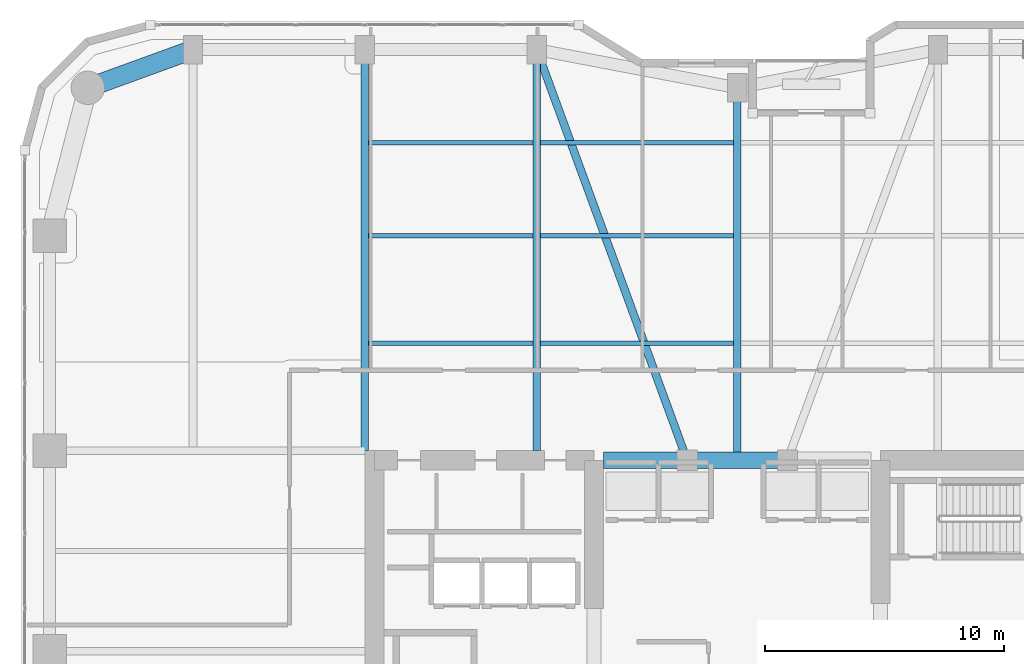
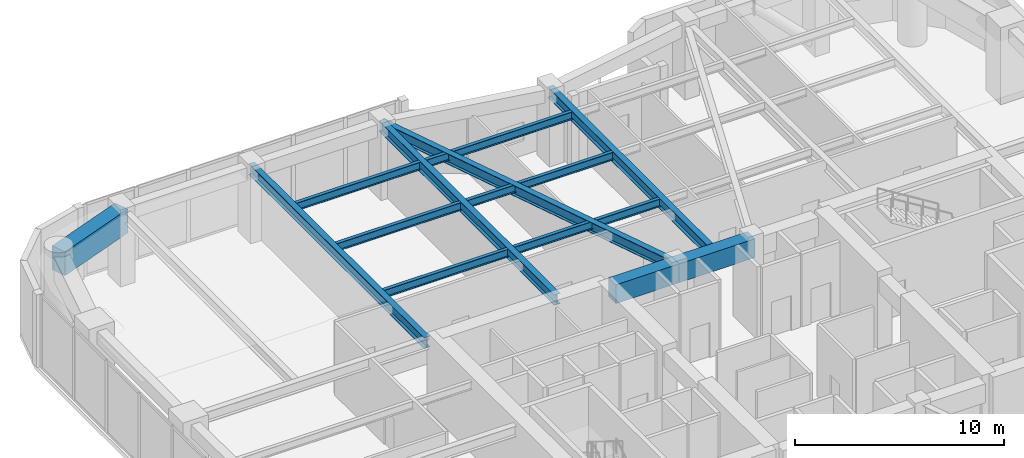
# One storey, part 9 of 23: 13 beams.
"""IFC4 building model written with IfcOpenShell, lengths in metres."""

from ifc_helpers import new_model, si_unit, direction, frame, origin, origin_2d, place, context, subcontext, project, spatial, rectangle, i_section, extrude, material, material_profile, profile_set, type_object, element, save


model = new_model("IFC4")

# Units and contexts
model_context = context("Model", 3, precision=1e-05, world=origin(), true_north=direction((0.0, 1.0)))
body_context = subcontext(model_context, "Body", "Model", "MODEL_VIEW")
ifc_project = project(units=[si_unit("LENGTHUNIT", "METRE"), si_unit("AREAUNIT", "SQUARE_METRE"), si_unit("VOLUMEUNIT", "CUBIC_METRE"), si_unit("PLANEANGLEUNIT", "RADIAN"), si_unit("MASSUNIT", "GRAM", prefix="KILO")], contexts=[model_context])

# Site, building, storey
site_placement = place(None, origin())
site = spatial("IfcSite", under=ifc_project, at=site_placement, CompositionType="ELEMENT")
building_placement = place(site_placement, origin())
building = spatial("IfcBuilding", under=site, at=building_placement, Name="Kiyonajd Concourse Tower", CompositionType="ELEMENT")
storey_placement = place(building_placement, frame((0.0, 0.0, 120.89990234375)))
storey = spatial("IfcBuildingStorey", under=building, at=storey_placement, Name="L31", CompositionType="ELEMENT", Elevation=120.89990234375)

# Beams
ifc_material_1 = material(Name="Concrete C70/85", Category="concrete")
ifc_material_profile_1 = material_profile(ifc_material_1, rectangle(XDim=0.699951171875, YDim=1.10009765625, at=origin_2d()), Name="RCBM-700x1100")
ifc_profile_set_1 = profile_set([ifc_material_profile_1], Name="Concrete C70/85")
beam_type_1 = type_object("IfcBeamType", Name="BM-COUP-1100", PredefinedType="LINTEL", material=ifc_profile_set_1)
beam_1_placement = place(storey_placement, frame((42.39990234375, 44.0, 3.690185546875), z_axis=(1.0, 0.0, 0.0), x_axis=(0.0, 1.0, 0.0)))
element("IfcBeam", 1, at=beam_1_placement, inside=storey, type_object=beam_type_1, Name="L31 Core Coupling Beam N1", PredefinedType="LINTEL", context=body_context, shape_type="SweptSolid", body=[
    extrude(rectangle(XDim=0.699951171875, YDim=1.10009765625, at=origin_2d()), origin(), (0.0, 0.0, 1.0), 3.5),
])
beam_2_placement = place(storey_placement, frame((45.89990234375, 44.0, 3.690185546875), z_axis=(1.0, 0.0, 0.0), x_axis=(0.0, 1.0, 0.0)))
element("IfcBeam", 2, at=beam_2_placement, inside=storey, type_object=beam_type_1, Name="L31 Core Coupling Beam N2", PredefinedType="LINTEL", context=body_context, shape_type="SweptSolid", body=[
    extrude(rectangle(XDim=0.699951171875, YDim=1.10009765625, at=origin_2d()), origin(), (0.0, 0.0, 1.0), 4.2001953125),
])
ifc_material_2 = material(Name="Steel ASTM A992 Grade 50", Category="steel")
ifc_material_profile_2 = material_profile(ifc_material_2, i_section(OverallWidth=0.19189453125, OverallDepth=0.462890625, WebThickness=0.010498046875, FlangeThickness=0.017578125, at=origin_2d()), Name="W460X89")
ifc_profile_set_2 = profile_set([ifc_material_profile_2], Name="Steel ASTM A992 Grade 50")
beam_type_2 = type_object("IfcBeamType", Name="BM-JST-460B", PredefinedType="JOIST", material=ifc_profile_set_2)
beam_3_placement = place(storey_placement, frame((32.5634765625, 48.89990234375, 4.008544921875), z_axis=(1.0, 0.0, 0.0), x_axis=(0.0, 1.0, 0.0)))
element("IfcBeam", 3, at=beam_3_placement, inside=storey, type_object=beam_type_2, Name="L31 Secondary Floor Joist", PredefinedType="JOIST", context=body_context, shape_type="SweptSolid", body=[
    extrude(i_section(OverallWidth=0.19189453125, OverallDepth=0.462890625, WebThickness=0.010498046875, FlangeThickness=0.017578125, at=origin_2d()), origin(), (0.0, 0.0, 1.0), 6.873046875),
])
beam_4_placement = place(storey_placement, frame((39.763427734375, 48.89990234375, 4.008544921875), z_axis=(1.0, 0.0, 0.0), x_axis=(0.0, 1.0, 0.0)))
element("IfcBeam", 4, at=beam_4_placement, inside=storey, type_object=beam_type_2, Name="L31 Secondary Floor Joist", PredefinedType="JOIST", context=body_context, shape_type="SweptSolid", body=[
    extrude(i_section(OverallWidth=0.19189453125, OverallDepth=0.462890625, WebThickness=0.010498046875, FlangeThickness=0.017578125, at=origin_2d()), origin(), (0.0, 0.0, 1.0), 8.072998046875),
])
beam_5_placement = place(storey_placement, frame((32.5634765625, 53.39990234375, 4.008544921875), z_axis=(1.0, 0.0, 0.0), x_axis=(0.0, 1.0, 0.0)))
element("IfcBeam", 5, at=beam_5_placement, inside=storey, type_object=beam_type_2, Name="L31 Secondary Floor Joist", PredefinedType="JOIST", context=body_context, shape_type="SweptSolid", body=[
    extrude(i_section(OverallWidth=0.19189453125, OverallDepth=0.462890625, WebThickness=0.010498046875, FlangeThickness=0.017578125, at=origin_2d()), origin(), (0.0, 0.0, 1.0), 6.873046875),
])
beam_6_placement = place(storey_placement, frame((39.763427734375, 53.39990234375, 4.008544921875), z_axis=(1.0, 0.0, 0.0), x_axis=(0.0, 1.0, 0.0)))
element("IfcBeam", 6, at=beam_6_placement, inside=storey, type_object=beam_type_2, Name="L31 Secondary Floor Joist", PredefinedType="JOIST", context=body_context, shape_type="SweptSolid", body=[
    extrude(i_section(OverallWidth=0.19189453125, OverallDepth=0.462890625, WebThickness=0.010498046875, FlangeThickness=0.017578125, at=origin_2d()), origin(), (0.0, 0.0, 1.0), 8.072998046875),
])
beam_7_placement = place(storey_placement, frame((32.5634765625, 57.300048828125, 4.008544921875), z_axis=(1.0, 0.0, 0.0), x_axis=(0.0, 1.0, 0.0)))
element("IfcBeam", 7, at=beam_7_placement, inside=storey, type_object=beam_type_2, Name="L31 Secondary Floor Joist", PredefinedType="JOIST", context=body_context, shape_type="SweptSolid", body=[
    extrude(i_section(OverallWidth=0.19189453125, OverallDepth=0.462890625, WebThickness=0.010498046875, FlangeThickness=0.017578125, at=origin_2d()), origin(), (0.0, 0.0, 1.0), 6.873046875),
])
beam_8_placement = place(storey_placement, frame((39.763427734375, 57.300048828125, 4.008544921875), z_axis=(1.0, 0.0, 0.0), x_axis=(0.0, 1.0, 0.0)))
element("IfcBeam", 8, at=beam_8_placement, inside=storey, type_object=beam_type_2, Name="L31 Secondary Floor Joist", PredefinedType="JOIST", context=body_context, shape_type="SweptSolid", body=[
    extrude(i_section(OverallWidth=0.19189453125, OverallDepth=0.462890625, WebThickness=0.010498046875, FlangeThickness=0.017578125, at=origin_2d()), origin(), (0.0, 0.0, 1.0), 8.072998046875),
])
ifc_material_profile_3 = material_profile(ifc_material_2, i_section(OverallWidth=0.326904296875, OverallDepth=0.6220703125, WebThickness=0.015380859375, FlangeThickness=0.0244140625, at=origin_2d()), Name="W610X195")
ifc_profile_set_3 = profile_set([ifc_material_profile_3], Name="Steel ASTM A992 Grade 50")
beam_type_3 = type_object("IfcBeamType", Name="BM-TWR-610A", PredefinedType="BEAM", material=ifc_profile_set_3)
beam_9_placement = place(storey_placement, frame((39.60009765625, 61.199951171875, 3.92919921875), z_axis=(0.343925269715, -0.938997022813, 0.0), x_axis=(0.938997022813, 0.343925269715, 0.0)))
element("IfcBeam", 9, at=beam_9_placement, inside=storey, type_object=beam_type_3, Name="L31 Core Tie Girder", PredefinedType="BEAM", context=body_context, shape_type="SweptSolid", body=[
    extrude(i_section(OverallWidth=0.326904296875, OverallDepth=0.6220703125, WebThickness=0.015380859375, FlangeThickness=0.0244140625, at=origin_2d()), origin(), (0.0, 0.0, 1.0), 18.3173828125),
])
for number, where, z_axis, x_axis, name in (
    (10, (32.39990234375, 44.39990234375, 3.92919921875), (0.0, 1.0, 0.0), (-1.0, 0.0, 0.0), "L31 North Lease Girder"),
    (11, (39.60009765625, 44.39990234375, 3.92919921875), (0.0, 1.0, 0.0), (-1.0, 0.0, 0.0), "L31 North Lease Girder"),
):
    element("IfcBeam", number, at=place(storey_placement, frame(where, z_axis=z_axis, x_axis=x_axis)), inside=storey, type_object=beam_type_3, Name=name, PredefinedType="BEAM", context=body_context, shape_type="SweptSolid", body=[
        extrude(i_section(OverallWidth=0.326904296875, OverallDepth=0.6220703125, WebThickness=0.015380859375, FlangeThickness=0.0244140625, at=origin_2d()), origin(), (0.0, 0.0, 1.0), 16.800048828125),
    ])
beam_10_placement = place(storey_placement, frame((48.0, 44.0, 3.92919921875), z_axis=(0.0, 1.0, 0.0), x_axis=(-1.0, 0.0, 0.0)))
element("IfcBeam", 12, at=beam_10_placement, inside=storey, type_object=beam_type_3, Name="L31 North Ribbon Girder", PredefinedType="BEAM", context=body_context, shape_type="SweptSolid", body=[
    extrude(i_section(OverallWidth=0.326904296875, OverallDepth=0.6220703125, WebThickness=0.015380859375, FlangeThickness=0.0244140625, at=origin_2d()), origin(), (0.0, 0.0, 1.0), 15.60009765625),
])
ifc_material_3 = material(Name="Concrete C60/75", Category="concrete")
ifc_material_profile_4 = material_profile(ifc_material_3, rectangle(XDim=0.800048828125, YDim=1.39990234375, at=origin_2d()), Name="RCBM-800x1400")
ifc_profile_set_4 = profile_set([ifc_material_profile_4], Name="Concrete C60/75")
beam_type_4 = type_object("IfcBeamType", Name="BM-XFER-RC", PredefinedType="BEAM", material=ifc_profile_set_4)
beam_11_placement = place(storey_placement, frame((25.199951171875, 61.199951171875, 3.5400390625), z_axis=(-0.939801036019, -0.341722127901, 0.0), x_axis=(0.341722127901, -0.939801036019, 0.0)))
element("IfcBeam", 13, at=beam_11_placement, inside=storey, type_object=beam_type_4, Name="L31 Perimeter Bundled Tube Spandrel", PredefinedType="BEAM", context=body_context, shape_type="SweptSolid", body=[
    extrude(rectangle(XDim=0.800048828125, YDim=1.39990234375, at=origin_2d()), origin(), (0.0, 0.0, 1.0), 4.681640625),
])

save(model, "model.ifc")
